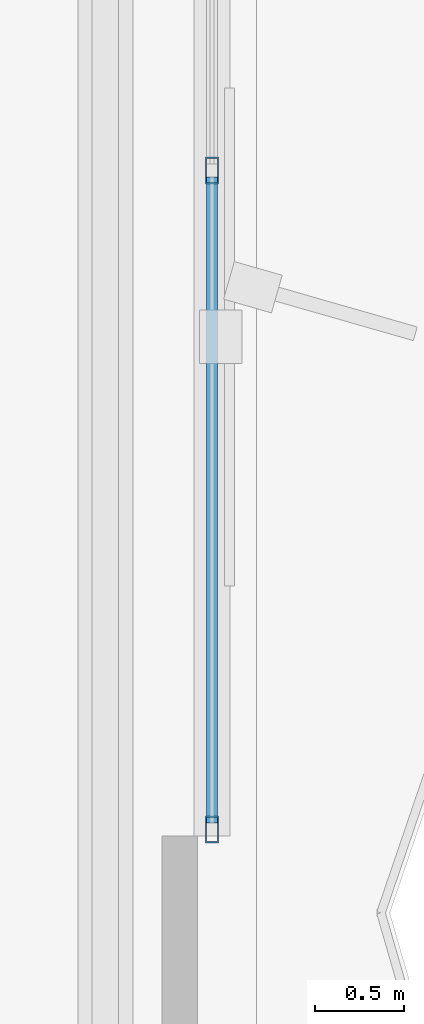
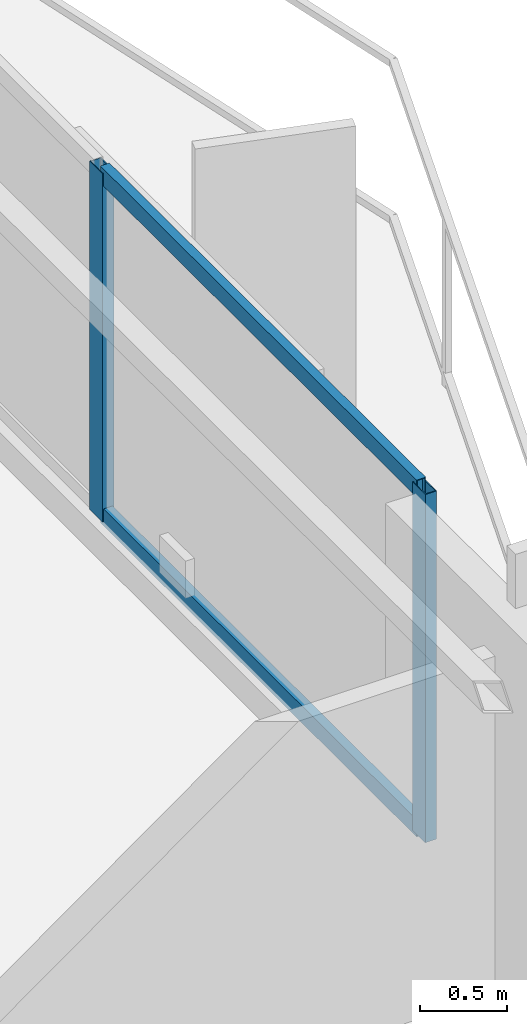
# One storey, part 8 of 22: 4 members, 1 element without a shape of its own.
"""IFC4 building model written with IfcOpenShell, lengths in metres."""

from ifc_helpers import new_model, si_unit, direction, frame, origin, origin_2d, place, context, subcontext, project, spatial, hollow_rectangle, extrude, material, layer, layer_set, material_profile, profile_set, type_object, element, aggregate, save


model = new_model("IFC4")

# Units and contexts
model_context = context("Model", 3, precision=1e-05, world=origin(), true_north=direction((0.0, 1.0)))
body_context = subcontext(model_context, "Body", "Model", "MODEL_VIEW")
ifc_project = project(units=[si_unit("LENGTHUNIT", "METRE"), si_unit("AREAUNIT", "SQUARE_METRE"), si_unit("VOLUMEUNIT", "CUBIC_METRE"), si_unit("PLANEANGLEUNIT", "RADIAN"), si_unit("MASSUNIT", "GRAM", prefix="KILO")], contexts=[model_context])

# Site, building, storey
site_placement = place(None, origin())
site = spatial("IfcSite", under=ifc_project, at=site_placement, CompositionType="ELEMENT")
building_placement = place(site_placement, origin())
building = spatial("IfcBuilding", under=site, at=building_placement, Name="Mersakhor Tower and Convention Hall", CompositionType="ELEMENT")
storey_placement = place(building_placement, frame((0.0, 0.0, 113.10009765625)))
storey = spatial("IfcBuildingStorey", under=building, at=storey_placement, Name="L31", CompositionType="ELEMENT", Elevation=113.10009765625)

# Curtain wall, members
ifc_material_1 = material(Name="Dark solar low-E aluminium curtain wall", Category="aluminium")
ifc_layer = layer(ifc_material_1, 0.159912109375)
ifc_layer_set = layer_set([ifc_layer], Name="Dark solar low-E aluminium curtain wall")
curtain_wall_type = type_object("IfcCurtainWallType", Name="CW-SYS-01", PredefinedType="USERDEFINED", material=ifc_layer_set)
curtain_wall_placement = place(storey_placement, origin())
curtain_wall = element("IfcCurtainWall", 1, at=curtain_wall_placement, inside=storey, type_object=curtain_wall_type, Name="L31 Dark-Glass Curtain Wall F2-B2", ObjectType="CURTAIN WALL", PredefinedType="USERDEFINED")
ifc_material_2 = material(Name="Anodised aluminium EN AW-6063 T6", Category="aluminium")
ifc_material_profile_1 = material_profile(ifc_material_2, hollow_rectangle(XDim=0.074951171875, YDim=0.14990234375, WallThickness=0.00634765625, at=origin_2d()), Name="RHS 150x75x6.3")
ifc_profile_set_1 = profile_set([ifc_material_profile_1], Name="Anodised aluminium EN AW-6063 T6")
member_type_1 = type_object("IfcMemberType", Name="CWM-150x75", PredefinedType="MULLION", material=ifc_profile_set_1)
member_1_placement = place(storey_placement, frame((43.03466796875, 24.87841796875, 0.199951171875), z_axis=(0.0, 0.0, 1.0), x_axis=(1.0, 0.0, 0.0)))
member_1 = element("IfcMember", 2, at=member_1_placement, type_object=member_type_1, Name="CW-01 mullion 3", PredefinedType="MULLION", context=body_context, shape_type="SweptSolid", body=[
    extrude(hollow_rectangle(XDim=0.074951171875, YDim=0.14990234375, WallThickness=0.00634765625, at=origin_2d()), origin(), (0.0, 0.0, 1.0), 2.43994140625),
])
member_2_placement = place(storey_placement, frame((43.03466796875, 21.172607421875, 0.199951171875), z_axis=(0.0, 0.0, 1.0), x_axis=(1.0, 0.0, 0.0)))
member_2 = element("IfcMember", 3, at=member_2_placement, type_object=member_type_1, Name="CW-01 mullion 4", PredefinedType="MULLION", context=body_context, shape_type="SweptSolid", body=[
    extrude(hollow_rectangle(XDim=0.074951171875, YDim=0.14990234375, WallThickness=0.00634765625, at=origin_2d()), origin(), (0.0, 0.0, 1.0), 2.43994140625),
])
ifc_material_3 = material(Name="Anodised aluminium EN AW-6063 T6", Category="aluminium")
ifc_material_profile_2 = material_profile(ifc_material_3, hollow_rectangle(XDim=0.06005859375, YDim=0.1201171875, WallThickness=0.0048828125, at=origin_2d()), Name="RHS 120x60x5")
ifc_profile_set_2 = profile_set([ifc_material_profile_2], Name="Anodised aluminium EN AW-6063 T6")
member_type_2 = type_object("IfcMemberType", Name="CWT-120x60", PredefinedType="USERDEFINED", material=ifc_profile_set_2)
member_3_placement = place(storey_placement, frame((43.03466796875, 24.8408203125, 0.22998046875), z_axis=(0.0, -1.0, 0.0), x_axis=(1.0, 0.0, 0.0)))
member_3 = element("IfcMember", 4, at=member_3_placement, type_object=member_type_2, Name="CW-01 transom 3.1", ObjectType="TRANSOM", PredefinedType="USERDEFINED", context=body_context, shape_type="SweptSolid", body=[
    extrude(hollow_rectangle(XDim=0.06005859375, YDim=0.1201171875, WallThickness=0.0048828125, at=origin_2d()), origin(), (0.0, 0.0, 1.0), 3.630615234375),
])
member_4_placement = place(storey_placement, frame((43.03466796875, 24.8408203125, 2.60986328125), z_axis=(0.0, -1.0, 0.0), x_axis=(1.0, 0.0, 0.0)))
member_4 = element("IfcMember", 5, at=member_4_placement, type_object=member_type_2, Name="CW-01 transom 3.2", ObjectType="TRANSOM", PredefinedType="USERDEFINED", context=body_context, shape_type="SweptSolid", body=[
    extrude(hollow_rectangle(XDim=0.06005859375, YDim=0.1201171875, WallThickness=0.0048828125, at=origin_2d()), origin(), (0.0, 0.0, 1.0), 3.630615234375),
])
aggregate(curtain_wall, [member_1, member_2, member_3, member_4])

save(model, "model.ifc")
